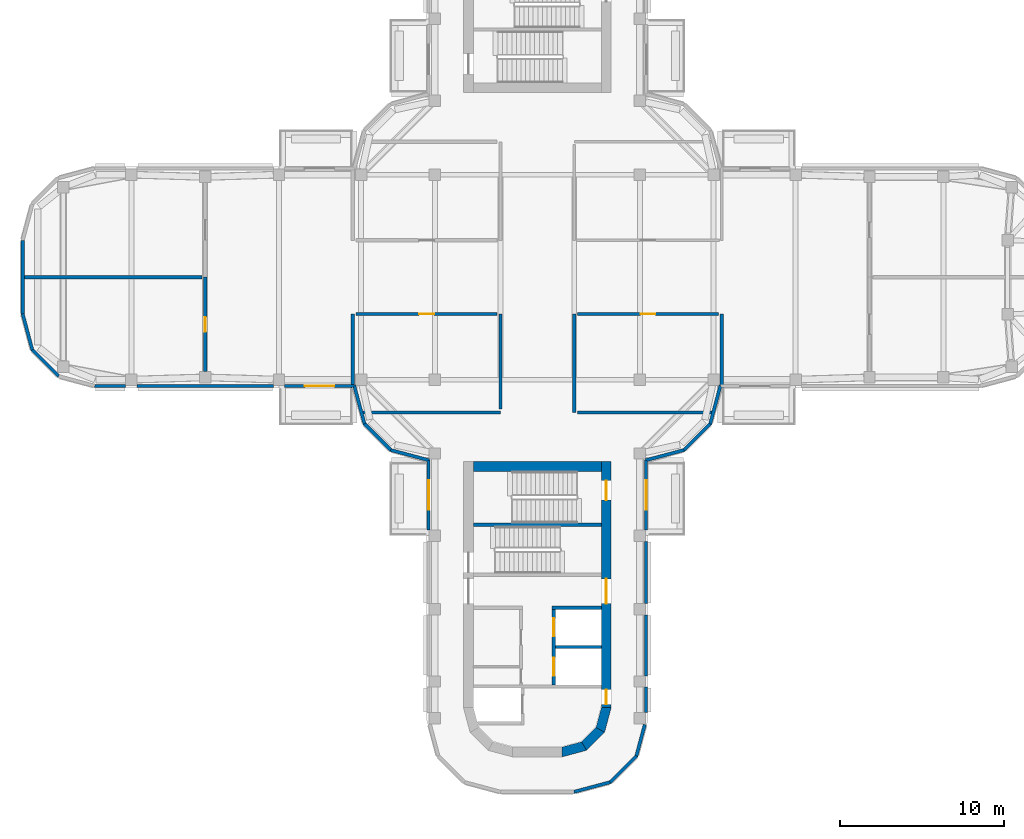
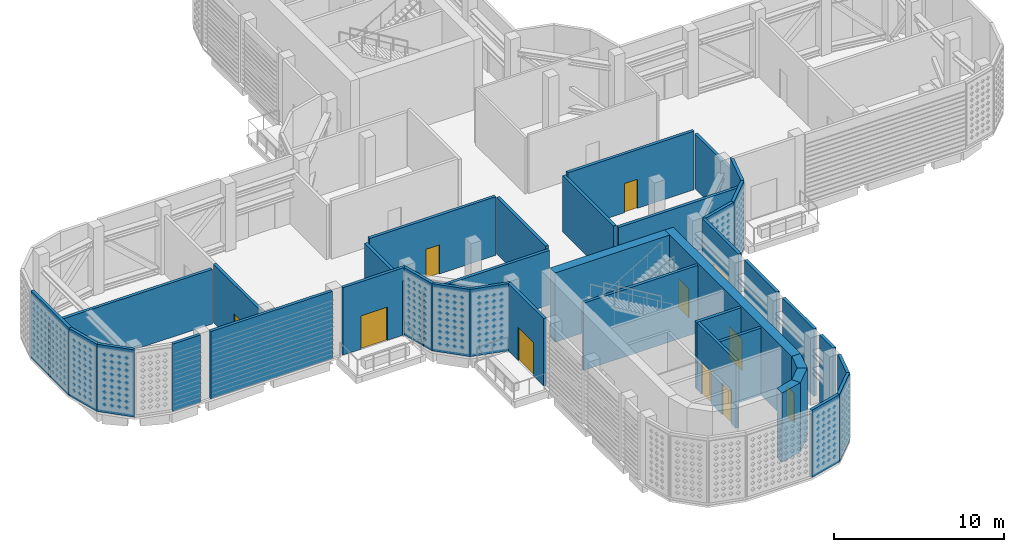
# One storey, part 5 of 20: 39 walls, 11 doors, 11 openings.
"""IFC4 building model written with IfcOpenShell, lengths in metres."""

from ifc_helpers import new_model, si_unit, direction, frame, frame_2d, origin, place, context, subcontext, project, spatial, polyline, rectangle, outline, extrude, material, layer, layer_set, type_object, element, fill, save


model = new_model("IFC4")

# Units and contexts
model_context = context("Model", 3, precision=1e-05, world=origin(), true_north=direction((0.0, 1.0)))
body_context = subcontext(model_context, "Body", "Model", "MODEL_VIEW")
ifc_project = project(units=[si_unit("LENGTHUNIT", "METRE"), si_unit("AREAUNIT", "SQUARE_METRE"), si_unit("VOLUMEUNIT", "CUBIC_METRE"), si_unit("PLANEANGLEUNIT", "RADIAN"), si_unit("MASSUNIT", "GRAM", prefix="KILO")], contexts=[model_context])

# Site, building, storey
site_placement = place(None, origin())
site = spatial("IfcSite", under=ifc_project, at=site_placement, CompositionType="ELEMENT")
building_placement = place(site_placement, origin())
building = spatial("IfcBuilding", under=site, at=building_placement, Name="Zarbagh Exchange Tower", CompositionType="ELEMENT")
storey_placement = place(building_placement, frame((0.0, 0.0, 244.800048828125)))
storey = spatial("IfcBuildingStorey", under=building, at=storey_placement, Name="L60", CompositionType="ELEMENT", Elevation=244.800048828125)

# Walls
ifc_material_1 = material(Name="Concrete block partition", Category="concrete")
ifc_layer_1 = layer(ifc_material_1, 0.199951171875)
ifc_layer_set_1 = layer_set([ifc_layer_1], Name="Fire-rated block partition 200 EI 120")
wall_type_1 = type_object("IfcWallType", Name="Fire-rated block partition 200 EI 120", PredefinedType="PARTITIONING", material=ifc_layer_set_1)
wall_1_placement = place(storey_placement, frame((-20.449951171875, 0.0, 0.0), z_axis=(0.0, 0.0, 1.0), x_axis=(-1.0, 0.0, 0.0)))
element("IfcWall", 1, at=wall_1_placement, inside=storey, type_object=wall_type_1, Name="WL-L60-W022", PredefinedType="PARTITIONING", context=body_context, shape_type="SweptSolid", body=[
    extrude(rectangle(XDim=11.050048828125, YDim=0.199951171875, at=frame_2d((5.52490234375, 0.0))), origin(), (0.0, 0.0, 1.0), 3.929931640625),
])
ifc_layer_2 = layer(ifc_material_1, 0.199951171875)
ifc_layer_set_2 = layer_set([ifc_layer_2], Name="Fire-rated block partition 200 EI 60")
wall_type_2 = type_object("IfcWallType", Name="Fire-rated block partition 200 EI 60", PredefinedType="PARTITIONING", material=ifc_layer_set_2)
wall_2_placement = place(storey_placement, frame((2.25, -2.25, 0.0), z_axis=(0.0, 0.0, 1.0), x_axis=(0.0, -1.0, 0.0)))
element("IfcWall", 2, at=wall_2_placement, inside=storey, type_object=wall_type_2, Name="WL-L60-W003", PredefinedType="PARTITIONING", context=body_context, shape_type="SweptSolid", body=[
    extrude(rectangle(XDim=6.0, YDim=0.199951171875, at=frame_2d((3.0, 0.0))), origin(), (0.0, 0.0, 1.0), 4.0732421875),
])
wall_3_placement = place(storey_placement, frame((2.449951171875, -8.25, 0.0), z_axis=(0.0, 0.0, 1.0), x_axis=(1.0, 0.0, 0.0)))
element("IfcWall", 3, at=wall_3_placement, inside=storey, type_object=wall_type_2, Name="WL-L60-W004", PredefinedType="PARTITIONING", context=body_context, shape_type="SweptSolid", body=[
    extrude(rectangle(XDim=8.398193359375, YDim=0.199951171875, at=frame_2d((4.19921875, 0.0))), origin(), (0.0, 0.0, 1.0), 3.929931640625),
])
wall_4_placement = place(storey_placement, frame((-10.84814453125, -8.25, 0.0), z_axis=(0.0, 0.0, 1.0), x_axis=(1.0, 0.0, 0.0)))
element("IfcWall", 4, at=wall_4_placement, inside=storey, type_object=wall_type_2, Name="WL-L60-W007", PredefinedType="PARTITIONING", context=body_context, shape_type="SweptSolid", body=[
    extrude(rectangle(XDim=8.59814453125, YDim=0.199951171875, at=frame_2d((4.299072265625, 0.0))), origin(), (0.0, 0.0, 1.0), 3.929931640625),
])
wall_5_placement = place(storey_placement, frame((-2.25, -8.050048828125, 0.0), z_axis=(0.0, 0.0, 1.0), x_axis=(0.0, 1.0, 0.0)))
element("IfcWall", 5, at=wall_5_placement, inside=storey, type_object=wall_type_2, Name="WL-L60-W008", PredefinedType="PARTITIONING", context=body_context, shape_type="SweptSolid", body=[
    extrude(rectangle(XDim=5.800048828125, YDim=0.199951171875, at=frame_2d((2.89990234375, 0.0))), origin(), (0.0, 0.0, 1.0), 4.0732421875),
])
wall_6_placement = place(storey_placement, frame((11.25, -2.25, 0.0), z_axis=(0.0, 0.0, 1.0), x_axis=(0.0, -1.0, 0.0)))
element("IfcWall", 6, at=wall_6_placement, inside=storey, type_object=wall_type_2, Name="WL-L60-W011", PredefinedType="PARTITIONING", context=body_context, shape_type="SweptSolid", body=[
    extrude(rectangle(XDim=4.5, YDim=0.199951171875, at=frame_2d((2.25, 0.0))), origin(), (0.0, 0.0, 1.0), 3.929931640625),
])

# Wall, opening, door
wall_7_placement = place(storey_placement, frame((11.050048828125, -2.25, 0.0), z_axis=(0.0, 0.0, 1.0), x_axis=(-1.0, 0.0, 0.0)))
wall_7 = element("IfcWall", 7, at=wall_7_placement, inside=storey, type_object=wall_type_2, Name="WL-L60-W012", PredefinedType="PARTITIONING", context=body_context, shape_type="SweptSolid", body=[
    extrude(rectangle(XDim=8.60009765625, YDim=0.199951171875, at=frame_2d((4.300048828125, 0.0))), origin(), (0.0, 0.0, 1.0), 4.222900390625),
])
opening_1_placement = place(wall_7_placement, frame((3.85009765625, 0.0, 0.0)))
opening_1 = element("IfcOpeningElement", 8, at=opening_1_placement, cuts=wall_7, Name="Opening D02", PredefinedType="OPENING", context=body_context, shape_type="SweptSolid", body=[
    extrude(rectangle(XDim=0.89990234375, YDim=2.10009765625, at=frame_2d((0.449951171875, 1.050048828125))), frame((0.0, 0.10986328125, 0.0), z_axis=(0.0, -1.0, 0.0), x_axis=(1.0, 0.0, 0.0)), (0.0, 0.0, 1.0), 0.219970703125),
])
ifc_material_2 = material(Name="Steel door set", Category="steel")
door_type_1 = type_object("IfcDoorType", Name="Door single 900x2100 EI 60", OperationType="SINGLE_SWING_LEFT", PredefinedType="DOOR", material=ifc_material_2)
door_1_placement = place(opening_1_placement, origin())
door_1 = element("IfcDoor", 9, at=door_1_placement, inside=storey, type_object=door_type_1, Name="D02", OperationType="SINGLE_SWING_LEFT", OverallHeight=2.10009765625, OverallWidth=0.89990234375, PredefinedType="DOOR", context=body_context, shape_type="SweptSolid", body=[
    extrude(rectangle(XDim=0.89990234375, YDim=2.10009765625, at=frame_2d((0.449951171875, 1.050048828125))), frame((0.0, 0.02490234375, 0.0), z_axis=(0.0, -1.0, 0.0), x_axis=(1.0, 0.0, 0.0)), (0.0, 0.0, 1.0), 0.050048828125),
])
fill(opening_1, door_1)

# Wall
wall_8_placement = place(storey_placement, frame((-11.25, -6.75, 0.0), z_axis=(0.0, 0.0, 1.0), x_axis=(0.0, 1.0, 0.0)))
element("IfcWall", 10, at=wall_8_placement, inside=storey, type_object=wall_type_2, Name="WL-L60-W015", PredefinedType="PARTITIONING", context=body_context, shape_type="SweptSolid", body=[
    extrude(rectangle(XDim=4.5, YDim=0.199951171875, at=frame_2d((2.25, 0.0))), origin(), (0.0, 0.0, 1.0), 3.929931640625),
])

# Wall, opening, door
wall_9_placement = place(storey_placement, frame((-2.449951171875, -2.25, 0.0), z_axis=(0.0, 0.0, 1.0), x_axis=(-1.0, 0.0, 0.0)))
wall_9 = element("IfcWall", 11, at=wall_9_placement, inside=storey, type_object=wall_type_2, Name="WL-L60-W016", PredefinedType="PARTITIONING", context=body_context, shape_type="SweptSolid", body=[
    extrude(rectangle(XDim=8.60009765625, YDim=0.199951171875, at=frame_2d((4.300048828125, 0.0))), origin(), (0.0, 0.0, 1.0), 4.222900390625),
])
opening_2_placement = place(wall_9_placement, frame((3.85009765625, 0.0, 0.0)))
opening_2 = element("IfcOpeningElement", 12, at=opening_2_placement, cuts=wall_9, Name="Opening D04", PredefinedType="OPENING", context=body_context, shape_type="SweptSolid", body=[
    extrude(rectangle(XDim=0.89990234375, YDim=2.10009765625, at=frame_2d((0.449951171875, 1.050048828125))), frame((0.0, 0.10986328125, 0.0), z_axis=(0.0, -1.0, 0.0), x_axis=(1.0, 0.0, 0.0)), (0.0, 0.0, 1.0), 0.219970703125),
])
door_2_placement = place(opening_2_placement, origin())
door_2 = element("IfcDoor", 13, at=door_2_placement, inside=storey, type_object=door_type_1, Name="D04", OperationType="SINGLE_SWING_LEFT", OverallHeight=2.10009765625, OverallWidth=0.89990234375, PredefinedType="DOOR", context=body_context, shape_type="SweptSolid", body=[
    extrude(rectangle(XDim=0.89990234375, YDim=2.10009765625, at=frame_2d((0.449951171875, 1.050048828125))), frame((0.0, 0.02490234375, 0.0), z_axis=(0.0, -1.0, 0.0), x_axis=(1.0, 0.0, 0.0)), (0.0, 0.0, 1.0), 0.050048828125),
])
fill(opening_2, door_2)

wall_10_placement = place(storey_placement, frame((-20.25, -5.760009765625, 0.0), z_axis=(0.0, 0.0, 1.0), x_axis=(0.0, 1.0, 0.0)))
wall_10 = element("IfcWall", 14, at=wall_10_placement, inside=storey, type_object=wall_type_2, Name="WL-L60-W021", PredefinedType="PARTITIONING", context=body_context, shape_type="SweptSolid", body=[
    extrude(rectangle(XDim=5.760009765625, YDim=0.199951171875, at=frame_2d((2.8798828125, 0.0))), origin(), (0.0, 0.0, 1.0), 4.222900390625),
])
opening_3_placement = place(wall_10_placement, frame((2.429931640625, 0.0, 0.0)))
opening_3 = element("IfcOpeningElement", 15, at=opening_3_placement, cuts=wall_10, Name="Opening D08", PredefinedType="OPENING", context=body_context, shape_type="SweptSolid", body=[
    extrude(rectangle(XDim=0.89990234375, YDim=2.10009765625, at=frame_2d((0.449951171875, 1.050048828125))), frame((0.0, 0.10986328125, 0.0), z_axis=(0.0, -1.0, 0.0), x_axis=(1.0, 0.0, 0.0)), (0.0, 0.0, 1.0), 0.219970703125),
])
door_3_placement = place(opening_3_placement, origin())
door_3 = element("IfcDoor", 16, at=door_3_placement, inside=storey, type_object=door_type_1, Name="D08", OperationType="SINGLE_SWING_LEFT", OverallHeight=2.10009765625, OverallWidth=0.89990234375, PredefinedType="DOOR", context=body_context, shape_type="SweptSolid", body=[
    extrude(rectangle(XDim=0.89990234375, YDim=2.10009765625, at=frame_2d((0.449951171875, 1.050048828125))), frame((0.0, 0.02490234375, 0.0), z_axis=(0.0, -1.0, 0.0), x_axis=(1.0, 0.0, 0.0)), (0.0, 0.0, 1.0), 0.050048828125),
])
fill(opening_3, door_3)

# Walls
ifc_material_3 = material(Name="Precast concrete C50/60", Category="concrete")
ifc_layer_3 = layer(ifc_material_3, 0.199951171875)
ifc_layer_set_3 = layer_set([ifc_layer_3], Name="Plant wall, precast concrete C50/60")
wall_type_3 = type_object("IfcWallType", Name="Plant wall, precast concrete C50/60", PredefinedType="SOLIDWALL", material=ifc_layer_set_3)
wall_11_placement = place(storey_placement, origin())
element("IfcWall", 17, at=wall_11_placement, inside=storey, type_object=wall_type_3, Name="PW67 plant wall", PredefinedType="SOLIDWALL", context=body_context, shape_type="SweptSolid", body=[
    extrude(outline(polyline([(2.247314453125, -31.47998046875), (4.48974609375, -30.879150390625), (4.38623046875, -30.699951171875), (2.220947265625, -31.280029296875), (2.247314453125, -31.47998046875)])), origin(), (0.0, 0.0, 1.0), 4.849853515625),
])
wall_12_placement = place(storey_placement, origin())
element("IfcWall", 18, at=wall_12_placement, inside=storey, type_object=wall_type_3, Name="PW68 plant wall", PredefinedType="SOLIDWALL", context=body_context, shape_type="SweptSolid", body=[
    extrude(outline(polyline([(4.48974609375, -30.879150390625), (6.129150390625, -29.23974609375), (5.949951171875, -29.13623046875), (4.38623046875, -30.699951171875), (4.48974609375, -30.879150390625)])), origin(), (0.0, 0.0, 1.0), 4.849853515625),
])
wall_13_placement = place(storey_placement, origin())
element("IfcWall", 19, at=wall_13_placement, inside=storey, type_object=wall_type_3, Name="PW69 plant wall", PredefinedType="SOLIDWALL", context=body_context, shape_type="SweptSolid", body=[
    extrude(outline(polyline([(6.129150390625, -29.23974609375), (6.648193359375, -27.302490234375), (6.455078125, -27.250732421875), (5.949951171875, -29.13623046875), (6.129150390625, -29.23974609375)])), origin(), (0.0, 0.0, 1.0), 4.849853515625),
])
wall_14_placement = place(storey_placement, origin())
element("IfcWall", 20, at=wall_14_placement, inside=storey, type_object=wall_type_3, Name="PW70 plant wall", PredefinedType="SOLIDWALL", context=body_context, shape_type="SweptSolid", body=[
    extrude(outline(polyline([(6.72998046875, -26.550048828125), (6.72998046875, -25.0), (6.530029296875, -25.0), (6.530029296875, -26.550048828125), (6.72998046875, -26.550048828125)])), origin(), (0.0, 0.0, 1.0), 4.849853515625),
])
wall_15_placement = place(storey_placement, origin())
element("IfcWall", 21, at=wall_15_placement, inside=storey, type_object=wall_type_3, Name="PW70 plant wall", PredefinedType="SOLIDWALL", context=body_context, shape_type="SweptSolid", body=[
    extrude(outline(polyline([(6.72998046875, -24.300048828125), (6.72998046875, -20.60009765625), (6.530029296875, -20.60009765625), (6.530029296875, -24.300048828125), (6.72998046875, -24.300048828125)])), origin(), (0.0, 0.0, 1.0), 4.849853515625),
])
wall_16_placement = place(storey_placement, origin())
element("IfcWall", 22, at=wall_16_placement, inside=storey, type_object=wall_type_3, Name="PW70 plant wall", PredefinedType="SOLIDWALL", context=body_context, shape_type="SweptSolid", body=[
    extrude(outline(polyline([(6.72998046875, -19.89990234375), (6.72998046875, -16.10009765625), (6.530029296875, -16.10009765625), (6.530029296875, -19.89990234375), (6.72998046875, -19.89990234375)])), origin(), (0.0, 0.0, 1.0), 4.849853515625),
])
wall_17_placement = place(storey_placement, origin())
element("IfcWall", 23, at=wall_17_placement, inside=storey, type_object=wall_type_3, Name="PW05 plant wall", PredefinedType="SOLIDWALL", context=body_context, shape_type="SweptSolid", body=[
    extrude(outline(polyline([(6.72998046875, -11.234619140625), (8.98974609375, -10.629150390625), (8.88623046875, -10.449951171875), (6.530029296875, -11.081298828125), (6.72998046875, -11.234619140625)])), origin(), (0.0, 0.0, 1.0), 4.849853515625),
])
wall_18_placement = place(storey_placement, origin())
element("IfcWall", 24, at=wall_18_placement, inside=storey, type_object=wall_type_3, Name="PW06 plant wall", PredefinedType="SOLIDWALL", context=body_context, shape_type="SweptSolid", body=[
    extrude(outline(polyline([(8.98974609375, -10.629150390625), (10.629150390625, -8.98974609375), (10.449951171875, -8.88623046875), (8.88623046875, -10.449951171875), (8.98974609375, -10.629150390625)])), origin(), (0.0, 0.0, 1.0), 4.849853515625),
])
wall_19_placement = place(storey_placement, origin())
element("IfcWall", 25, at=wall_19_placement, inside=storey, type_object=wall_type_3, Name="PW07 plant wall", PredefinedType="SOLIDWALL", context=body_context, shape_type="SweptSolid", body=[
    extrude(outline(polyline([(10.629150390625, -8.98974609375), (11.234619140625, -6.72998046875), (11.081298828125, -6.530029296875), (10.449951171875, -8.88623046875), (10.629150390625, -8.98974609375)])), origin(), (0.0, 0.0, 1.0), 4.849853515625),
])
wall_20_placement = place(storey_placement, origin())
element("IfcWall", 26, at=wall_20_placement, inside=storey, type_object=wall_type_3, Name="PW75 plant wall", PredefinedType="SOLIDWALL", context=body_context, shape_type="SweptSolid", body=[
    extrude(outline(polyline([(-31.47998046875, 2.247314453125), (-31.47998046875, -2.247314453125), (-31.280029296875, -2.220947265625), (-31.280029296875, 2.220947265625), (-31.47998046875, 2.247314453125)])), origin(), (0.0, 0.0, 1.0), 4.849853515625),
])
wall_21_placement = place(storey_placement, origin())
element("IfcWall", 27, at=wall_21_placement, inside=storey, type_object=wall_type_3, Name="PW76 plant wall", PredefinedType="SOLIDWALL", context=body_context, shape_type="SweptSolid", body=[
    extrude(outline(polyline([(-31.47998046875, -2.247314453125), (-30.879150390625, -4.48974609375), (-30.699951171875, -4.38623046875), (-31.280029296875, -2.220947265625), (-31.47998046875, -2.247314453125)])), origin(), (0.0, 0.0, 1.0), 4.849853515625),
])
wall_22_placement = place(storey_placement, origin())
element("IfcWall", 28, at=wall_22_placement, inside=storey, type_object=wall_type_3, Name="PW77 plant wall", PredefinedType="SOLIDWALL", context=body_context, shape_type="SweptSolid", body=[
    extrude(outline(polyline([(-30.879150390625, -4.48974609375), (-29.23974609375, -6.129150390625), (-29.13623046875, -5.949951171875), (-30.699951171875, -4.38623046875), (-30.879150390625, -4.48974609375)])), origin(), (0.0, 0.0, 1.0), 4.849853515625),
])
wall_23_placement = place(storey_placement, origin())
element("IfcWall", 29, at=wall_23_placement, inside=storey, type_object=wall_type_3, Name="PW79 plant wall", PredefinedType="SOLIDWALL", context=body_context, shape_type="SweptSolid", body=[
    extrude(outline(polyline([(-26.997314453125, -6.72998046875), (-25.10009765625, -6.72998046875), (-25.10009765625, -6.530029296875), (-26.970947265625, -6.530029296875), (-26.997314453125, -6.72998046875)])), origin(), (0.0, 0.0, 1.0), 4.849853515625),
])
wall_24_placement = place(storey_placement, origin())
element("IfcWall", 30, at=wall_24_placement, inside=storey, type_object=wall_type_3, Name="PW79 plant wall", PredefinedType="SOLIDWALL", context=body_context, shape_type="SweptSolid", body=[
    extrude(outline(polyline([(-24.39990234375, -6.72998046875), (-16.10009765625, -6.72998046875), (-16.10009765625, -6.530029296875), (-24.39990234375, -6.530029296875), (-24.39990234375, -6.72998046875)])), origin(), (0.0, 0.0, 1.0), 4.849853515625),
])
wall_25_placement = place(storey_placement, origin())
element("IfcWall", 31, at=wall_25_placement, inside=storey, type_object=wall_type_3, Name="PW41 plant wall", PredefinedType="SOLIDWALL", context=body_context, shape_type="SweptSolid", body=[
    extrude(outline(polyline([(-11.234619140625, -6.72998046875), (-10.629150390625, -8.98974609375), (-10.449951171875, -8.88623046875), (-11.081298828125, -6.530029296875), (-11.234619140625, -6.72998046875)])), origin(), (0.0, 0.0, 1.0), 4.849853515625),
])
wall_26_placement = place(storey_placement, origin())
element("IfcWall", 32, at=wall_26_placement, inside=storey, type_object=wall_type_3, Name="PW42 plant wall", PredefinedType="SOLIDWALL", context=body_context, shape_type="SweptSolid", body=[
    extrude(outline(polyline([(-10.629150390625, -8.98974609375), (-8.98974609375, -10.629150390625), (-8.88623046875, -10.449951171875), (-10.449951171875, -8.88623046875), (-10.629150390625, -8.98974609375)])), origin(), (0.0, 0.0, 1.0), 4.849853515625),
])
wall_27_placement = place(storey_placement, origin())
element("IfcWall", 33, at=wall_27_placement, inside=storey, type_object=wall_type_3, Name="PW43 plant wall", PredefinedType="SOLIDWALL", context=body_context, shape_type="SweptSolid", body=[
    extrude(outline(polyline([(-8.98974609375, -10.629150390625), (-6.72998046875, -11.234619140625), (-6.530029296875, -11.081298828125), (-8.88623046875, -10.449951171875), (-8.98974609375, -10.629150390625)])), origin(), (0.0, 0.0, 1.0), 4.849853515625),
])
ifc_material_4 = material(Name="Concrete C50/60", Category="concrete")
ifc_layer_4 = layer(ifc_material_4, 0.60009765625)
ifc_layer_set_4 = layer_set([ifc_layer_4], Name="RC core corner wall 600 C50/60")
wall_type_4 = type_object("IfcWallType", Name="RC core corner wall 600 C50/60", PredefinedType="SHEAR", material=ifc_layer_set_4)
wall_28_placement = place(storey_placement, origin())
element("IfcWall", 34, at=wall_28_placement, inside=storey, type_object=wall_type_4, Name="CW8 core S corner E", PredefinedType="SHEAR", context=body_context, shape_type="SweptSolid", body=[
    extrude(outline(polyline([(4.5, -26.25), (4.09814453125, -27.75), (3.57861328125, -27.449951171875), (3.89990234375, -26.25), (4.5, -26.25)])), origin(), (0.0, 0.0, 1.0), 5.0),
])
wall_29_placement = place(storey_placement, origin())
element("IfcWall", 35, at=wall_29_placement, inside=storey, type_object=wall_type_4, Name="CW8 core S corner E", PredefinedType="SHEAR", context=body_context, shape_type="SweptSolid", body=[
    extrude(outline(polyline([(4.09814453125, -27.75), (3.0, -28.84814453125), (2.699951171875, -28.32861328125), (3.57861328125, -27.449951171875), (4.09814453125, -27.75)])), origin(), (0.0, 0.0, 1.0), 5.0),
])
wall_30_placement = place(storey_placement, origin())
element("IfcWall", 36, at=wall_30_placement, inside=storey, type_object=wall_type_4, Name="CW8 core S corner E", PredefinedType="SHEAR", context=body_context, shape_type="SweptSolid", body=[
    extrude(outline(polyline([(3.0, -28.84814453125), (1.5, -29.25), (1.5, -28.64990234375), (2.699951171875, -28.32861328125), (3.0, -28.84814453125)])), origin(), (0.0, 0.0, 1.0), 5.0),
])

# Wall, openings, doors
ifc_layer_5 = layer(ifc_material_4, 0.60009765625)
ifc_layer_set_5 = layer_set([ifc_layer_5], Name="RC core wall 600 C50/60")
wall_type_5 = type_object("IfcWallType", Name="RC core wall 600 C50/60", PredefinedType="SHEAR", material=ifc_layer_set_5)
wall_31_placement = place(storey_placement, frame((4.199951171875, -11.25, 0.0), z_axis=(0.0, 0.0, 1.0), x_axis=(0.0, -1.0, 0.0)))
wall_31 = element("IfcWall", 37, at=wall_31_placement, inside=storey, type_object=wall_type_5, Name="CW7 core S E", PredefinedType="SHEAR", context=body_context, shape_type="SweptSolid", body=[
    extrude(rectangle(XDim=15.0, YDim=0.60009765625, at=frame_2d((7.5, 0.0))), origin(), (0.0, 0.0, 1.0), 5.0),
])
opening_4_placement = place(wall_31_placement, frame((7.14990234375, 0.0, 0.0)))
opening_4 = element("IfcOpeningElement", 38, at=opening_4_placement, cuts=wall_31, Name="Opening CD1-1500", PredefinedType="OPENING", context=body_context, shape_type="SweptSolid", body=[
    extrude(rectangle(XDim=1.5, YDim=2.300048828125, at=frame_2d((0.75, 1.14990234375))), frame((0.0, 0.31005859375, 0.0), z_axis=(0.0, -1.0, 0.0), x_axis=(1.0, 0.0, 0.0)), (0.0, 0.0, 1.0), 0.6201171875),
])
opening_5_placement = place(wall_31_placement, frame((13.89990234375, 0.0, 0.0)))
opening_5 = element("IfcOpeningElement", 39, at=opening_5_placement, cuts=wall_31, Name="Opening CD2-900", PredefinedType="OPENING", context=body_context, shape_type="SweptSolid", body=[
    extrude(rectangle(XDim=0.89990234375, YDim=2.10009765625, at=frame_2d((0.449951171875, 1.050048828125))), frame((0.0, 0.31005859375, 0.0), z_axis=(0.0, -1.0, 0.0), x_axis=(1.0, 0.0, 0.0)), (0.0, 0.0, 1.0), 0.6201171875),
])
opening_6_placement = place(wall_31_placement, frame((1.14990234375, 0.0, 0.0)))
opening_6 = element("IfcOpeningElement", 40, at=opening_6_placement, cuts=wall_31, Name="Opening SD1-1200", PredefinedType="OPENING", context=body_context, shape_type="SweptSolid", body=[
    extrude(rectangle(XDim=1.199951171875, YDim=2.10009765625, at=frame_2d((0.60009765625, 1.050048828125))), frame((0.0, 0.31005859375, 0.0), z_axis=(0.0, -1.0, 0.0), x_axis=(1.0, 0.0, 0.0)), (0.0, 0.0, 1.0), 0.6201171875),
])
ifc_material_5 = material(Name="Steel", Category="steel")
door_type_2 = type_object("IfcDoorType", Name="Exit stair door 1200 x 2100", OperationType="NOTDEFINED", PredefinedType="DOOR", material=ifc_material_5)
door_4_placement = place(opening_6_placement, origin())
door_4 = element("IfcDoor", 41, at=door_4_placement, inside=storey, type_object=door_type_2, Name="South core stair door ST2", OperationType="SINGLE_SWING_LEFT", OverallHeight=2.10009765625, OverallWidth=1.199951171875, PredefinedType="DOOR", context=body_context, shape_type="SweptSolid", body=[
    extrude(rectangle(XDim=1.199951171875, YDim=2.10009765625, at=frame_2d((0.60009765625, 1.050048828125))), frame((0.0, 0.02490234375, 0.0), z_axis=(0.0, -1.0, 0.0), x_axis=(1.0, 0.0, 0.0)), (0.0, 0.0, 1.0), 0.050048828125),
])
fill(opening_6, door_4)
door_type_3 = type_object("IfcDoorType", Name="Firefighting lobby door 900 x 2100", OperationType="NOTDEFINED", PredefinedType="DOOR", material=ifc_material_5)
door_5_placement = place(opening_5_placement, origin())
door_5 = element("IfcDoor", 42, at=door_5_placement, inside=storey, type_object=door_type_3, Name="South core firefighting lobby door FF-W", OperationType="SINGLE_SWING_LEFT", OverallHeight=2.10009765625, OverallWidth=0.89990234375, PredefinedType="DOOR", context=body_context, shape_type="SweptSolid", body=[
    extrude(rectangle(XDim=0.89990234375, YDim=2.10009765625, at=frame_2d((0.449951171875, 1.050048828125))), frame((0.0, 0.02490234375, 0.0), z_axis=(0.0, -1.0, 0.0), x_axis=(1.0, 0.0, 0.0)), (0.0, 0.0, 1.0), 0.050048828125),
])
fill(opening_5, door_5)
door_type_4 = type_object("IfcDoorType", Name="Lift lobby double door 1500 x 2300", OperationType="NOTDEFINED", PredefinedType="DOOR", material=ifc_material_5)
door_6_placement = place(opening_4_placement, origin())
door_6 = element("IfcDoor", 43, at=door_6_placement, inside=storey, type_object=door_type_4, Name="South core lift lobby door LOBBY-W", OperationType="DOUBLE_DOOR_SINGLE_SWING", OverallHeight=2.300048828125, OverallWidth=1.5, PredefinedType="DOOR", context=body_context, shape_type="SweptSolid", body=[
    extrude(rectangle(XDim=1.5, YDim=2.300048828125, at=frame_2d((0.75, 1.14990234375))), frame((0.0, 0.02490234375, 0.0), z_axis=(0.0, -1.0, 0.0), x_axis=(1.0, 0.0, 0.0)), (0.0, 0.0, 1.0), 0.050048828125),
])
fill(opening_4, door_6)

# Walls
wall_32_placement = place(storey_placement, frame((-3.89990234375, -11.550048828125, 0.0), z_axis=(0.0, 0.0, 1.0), x_axis=(1.0, 0.0, 0.0)))
element("IfcWall", 44, at=wall_32_placement, inside=storey, type_object=wall_type_5, Name="CW7 core S inner end", PredefinedType="SHEAR", context=body_context, shape_type="SweptSolid", body=[
    extrude(rectangle(XDim=7.7998046875, YDim=0.60009765625, at=frame_2d((3.89990234375, 0.0))), origin(), (0.0, 0.0, 1.0), 5.0),
])
ifc_material_6 = material(Name="Dense blockwork", Category="masonry")
ifc_layer_6 = layer(ifc_material_6, 0.199951171875)
ifc_layer_set_6 = layer_set([ifc_layer_6], Name="Shaft wall 200 mm blockwork")
wall_type_6 = type_object("IfcWallType", Name="Shaft wall 200 mm blockwork", PredefinedType="PARTITIONING", material=ifc_layer_set_6)
wall_33_placement = place(storey_placement, frame((3.89990234375, -20.14990234375, 0.0), z_axis=(0.0, 0.0, 1.0), x_axis=(-1.0, 0.0, 0.0)))
element("IfcWall", 45, at=wall_33_placement, inside=storey, type_object=wall_type_6, Name="South core shaft wall AB-W", PredefinedType="PARTITIONING", context=body_context, shape_type="SweptSolid", body=[
    extrude(rectangle(XDim=3.0, YDim=0.199951171875, at=frame_2d((1.5, 0.0))), origin(), (0.0, 0.0, 1.0), 4.849853515625),
])

# Wall, openings, doors
wall_34_placement = place(storey_placement, frame((1.0, -24.85009765625, 0.0), z_axis=(0.0, 0.0, 1.0), x_axis=(0.0, 1.0, 0.0)))
wall_34 = element("IfcWall", 46, at=wall_34_placement, inside=storey, type_object=wall_type_6, Name="South core shaft wall LW-W", PredefinedType="PARTITIONING", context=body_context, shape_type="SweptSolid", body=[
    extrude(rectangle(XDim=4.60009765625, YDim=0.199951171875, at=frame_2d((2.300048828125, 0.0))), origin(), (0.0, 0.0, 1.0), 4.849853515625),
])
opening_7_placement = place(wall_34_placement, frame((0.550048828125, 0.0, 0.0)))
opening_7 = element("IfcOpeningElement", 47, at=opening_7_placement, cuts=wall_34, Name="Opening LD-1100", PredefinedType="OPENING", context=body_context, shape_type="SweptSolid", body=[
    extrude(rectangle(XDim=1.10009765625, YDim=2.300048828125, at=frame_2d((0.550048828125, 1.14990234375))), frame((0.0, 0.10986328125, 0.0), z_axis=(0.0, -1.0, 0.0), x_axis=(1.0, 0.0, 0.0)), (0.0, 0.0, 1.0), 0.219970703125),
])
opening_8_placement = place(wall_34_placement, frame((2.949951171875, 0.0, 0.0)))
opening_8 = element("IfcOpeningElement", 48, at=opening_8_placement, cuts=wall_34, Name="Opening LD-1100", PredefinedType="OPENING", context=body_context, shape_type="SweptSolid", body=[
    extrude(rectangle(XDim=1.10009765625, YDim=2.300048828125, at=frame_2d((0.550048828125, 1.14990234375))), frame((0.0, 0.10986328125, 0.0), z_axis=(0.0, -1.0, 0.0), x_axis=(1.0, 0.0, 0.0)), (0.0, 0.0, 1.0), 0.219970703125),
])
ifc_material_7 = material(Name="Stainless steel", Category="steel")
door_type_5 = type_object("IfcDoorType", Name="Lift landing door 1100 x 2300", OperationType="NOTDEFINED", PredefinedType="DOOR", material=ifc_material_7)
door_7_placement = place(opening_7_placement, origin())
door_7 = element("IfcDoor", 49, at=door_7_placement, inside=storey, type_object=door_type_5, Name="South core lift landing door LD-P-S1", OperationType="DOUBLE_DOOR_SLIDING", OverallHeight=2.300048828125, OverallWidth=1.10009765625, PredefinedType="DOOR", context=body_context, shape_type="SweptSolid", body=[
    extrude(rectangle(XDim=1.10009765625, YDim=2.300048828125, at=frame_2d((0.550048828125, 1.14990234375))), frame((0.0, 0.02490234375, 0.0), z_axis=(0.0, -1.0, 0.0), x_axis=(1.0, 0.0, 0.0)), (0.0, 0.0, 1.0), 0.050048828125),
])
fill(opening_7, door_7)
door_8_placement = place(opening_8_placement, origin())
door_8 = element("IfcDoor", 50, at=door_8_placement, inside=storey, type_object=door_type_5, Name="South core lift landing door LD-P-S2", OperationType="DOUBLE_DOOR_SLIDING", OverallHeight=2.300048828125, OverallWidth=1.10009765625, PredefinedType="DOOR", context=body_context, shape_type="SweptSolid", body=[
    extrude(rectangle(XDim=1.10009765625, YDim=2.300048828125, at=frame_2d((0.550048828125, 1.14990234375))), frame((0.0, 0.02490234375, 0.0), z_axis=(0.0, -1.0, 0.0), x_axis=(1.0, 0.0, 0.0)), (0.0, 0.0, 1.0), 0.050048828125),
])
fill(opening_8, door_8)

# Walls
wall_35_placement = place(storey_placement, frame((3.89990234375, -22.550048828125, 0.0), z_axis=(0.0, 0.0, 1.0), x_axis=(-1.0, 0.0, 0.0)))
element("IfcWall", 51, at=wall_35_placement, inside=storey, type_object=wall_type_6, Name="South core shaft wall TR-W", PredefinedType="PARTITIONING", context=body_context, shape_type="SweptSolid", body=[
    extrude(rectangle(XDim=2.7998046875, YDim=0.199951171875, at=frame_2d((1.39990234375, 0.0))), origin(), (0.0, 0.0, 1.0), 4.849853515625),
])
ifc_material_8 = material(Name="Concrete C40/50", Category="concrete")
ifc_layer_7 = layer(ifc_material_8, 0.199951171875)
ifc_layer_set_7 = layer_set([ifc_layer_7], Name="Stair enclosure wall 200 mm RC C40/50")
wall_type_7 = type_object("IfcWallType", Name="Stair enclosure wall 200 mm RC C40/50", PredefinedType="SHEAR", material=ifc_layer_set_7)
wall_36_placement = place(storey_placement, frame((3.89990234375, -15.10009765625, 0.0), z_axis=(0.0, 0.0, 1.0), x_axis=(-1.0, 0.0, 0.0)))
element("IfcWall", 52, at=wall_36_placement, inside=storey, type_object=wall_type_7, Name="South core stair wall ST12", PredefinedType="SHEAR", context=body_context, shape_type="SweptSolid", body=[
    extrude(rectangle(XDim=7.7998046875, YDim=0.199951171875, at=frame_2d((3.89990234375, 0.0))), origin(), (0.0, 0.0, 1.0), 4.849853515625),
])

# Wall, opening, door
ifc_layer_8 = layer(ifc_material_3, 0.199951171875)
ifc_layer_set_8 = layer_set([ifc_layer_8], Name="Terrace door wall, precast concrete C50/60")
wall_type_8 = type_object("IfcWallType", Name="Terrace door wall, precast concrete C50/60", PredefinedType="SOLIDWALL", material=ifc_layer_set_8)
wall_37_placement = place(storey_placement, frame((6.6298828125, -15.39990234375, 0.0), z_axis=(0.0, 0.0, 1.0), x_axis=(0.0, 1.0, 0.0)))
wall_37 = element("IfcWall", 53, at=wall_37_placement, inside=storey, type_object=wall_type_8, Name="TW50 door wall", PredefinedType="SOLIDWALL", context=body_context, shape_type="SweptSolid", body=[
    extrude(rectangle(XDim=4.241943359375, YDim=0.199951171875, at=frame_2d((2.12109375, 0.0))), origin(), (0.0, 0.0, 1.0), 4.849853515625),
])
opening_9_placement = place(wall_37_placement, frame((1.220947265625, 0.0, 0.0)))
opening_9 = element("IfcOpeningElement", 54, at=opening_9_placement, cuts=wall_37, Name="Opening TD02", PredefinedType="OPENING", context=body_context, shape_type="SweptSolid", body=[
    extrude(rectangle(XDim=1.800048828125, YDim=2.39990234375, at=frame_2d((0.89990234375, 1.199951171875))), frame((0.0, 0.10986328125, 0.0), z_axis=(0.0, -1.0, 0.0), x_axis=(1.0, 0.0, 0.0)), (0.0, 0.0, 1.0), 0.219970703125),
])
ifc_material_9 = material(Name="Anodised aluminium and glass", Category="aluminium")
door_type_6 = type_object("IfcDoorType", Name="Terrace door, double leaf, aluminium and glass", OperationType="DOUBLE_DOOR_DOUBLE_SWING", PredefinedType="DOOR", material=ifc_material_9)
door_9_placement = place(opening_9_placement, origin())
door_9 = element("IfcDoor", 55, at=door_9_placement, inside=storey, type_object=door_type_6, Name="TD02 terrace door", OperationType="SINGLE_SWING_LEFT", OverallHeight=2.39990234375, OverallWidth=1.800048828125, PredefinedType="DOOR", context=body_context, shape_type="SweptSolid", body=[
    extrude(rectangle(XDim=1.800048828125, YDim=2.39990234375, at=frame_2d((0.89990234375, 1.199951171875))), frame((0.0, 0.02490234375, 0.0), z_axis=(0.0, -1.0, 0.0), x_axis=(1.0, 0.0, 0.0)), (0.0, 0.0, 1.0), 0.050048828125),
])
fill(opening_9, door_9)

wall_38_placement = place(storey_placement, frame((-15.39990234375, -6.6298828125, 0.0), z_axis=(0.0, 0.0, 1.0), x_axis=(1.0, 0.0, 0.0)))
wall_38 = element("IfcWall", 56, at=wall_38_placement, inside=storey, type_object=wall_type_8, Name="TW52 door wall", PredefinedType="SOLIDWALL", context=body_context, shape_type="SweptSolid", body=[
    extrude(rectangle(XDim=4.241943359375, YDim=0.199951171875, at=frame_2d((2.12109375, 0.0))), origin(), (0.0, 0.0, 1.0), 4.849853515625),
])
opening_10_placement = place(wall_38_placement, frame((1.220947265625, 0.0, 0.0)))
opening_10 = element("IfcOpeningElement", 57, at=opening_10_placement, cuts=wall_38, Name="Opening TD02", PredefinedType="OPENING", context=body_context, shape_type="SweptSolid", body=[
    extrude(rectangle(XDim=1.800048828125, YDim=2.39990234375, at=frame_2d((0.89990234375, 1.199951171875))), frame((0.0, 0.10986328125, 0.0), z_axis=(0.0, -1.0, 0.0), x_axis=(1.0, 0.0, 0.0)), (0.0, 0.0, 1.0), 0.219970703125),
])
door_10_placement = place(opening_10_placement, origin())
door_10 = element("IfcDoor", 58, at=door_10_placement, inside=storey, type_object=door_type_6, Name="TD02 terrace door", OperationType="SINGLE_SWING_LEFT", OverallHeight=2.39990234375, OverallWidth=1.800048828125, PredefinedType="DOOR", context=body_context, shape_type="SweptSolid", body=[
    extrude(rectangle(XDim=1.800048828125, YDim=2.39990234375, at=frame_2d((0.89990234375, 1.199951171875))), frame((0.0, 0.02490234375, 0.0), z_axis=(0.0, -1.0, 0.0), x_axis=(1.0, 0.0, 0.0)), (0.0, 0.0, 1.0), 0.050048828125),
])
fill(opening_10, door_10)

wall_39_placement = place(storey_placement, frame((-6.6298828125, -11.157958984375, 0.0), z_axis=(0.0, 0.0, 1.0), x_axis=(0.0, -1.0, 0.0)))
wall_39 = element("IfcWall", 59, at=wall_39_placement, inside=storey, type_object=wall_type_8, Name="TW53 door wall", PredefinedType="SOLIDWALL", context=body_context, shape_type="SweptSolid", body=[
    extrude(rectangle(XDim=4.241943359375, YDim=0.199951171875, at=frame_2d((2.12109375, 0.0))), origin(), (0.0, 0.0, 1.0), 4.849853515625),
])
opening_11_placement = place(wall_39_placement, frame((1.220947265625, 0.0, 0.0)))
opening_11 = element("IfcOpeningElement", 60, at=opening_11_placement, cuts=wall_39, Name="Opening TD02", PredefinedType="OPENING", context=body_context, shape_type="SweptSolid", body=[
    extrude(rectangle(XDim=1.800048828125, YDim=2.39990234375, at=frame_2d((0.89990234375, 1.199951171875))), frame((0.0, 0.10986328125, 0.0), z_axis=(0.0, -1.0, 0.0), x_axis=(1.0, 0.0, 0.0)), (0.0, 0.0, 1.0), 0.219970703125),
])
door_11_placement = place(opening_11_placement, origin())
door_11 = element("IfcDoor", 61, at=door_11_placement, inside=storey, type_object=door_type_6, Name="TD02 terrace door", OperationType="SINGLE_SWING_LEFT", OverallHeight=2.39990234375, OverallWidth=1.800048828125, PredefinedType="DOOR", context=body_context, shape_type="SweptSolid", body=[
    extrude(rectangle(XDim=1.800048828125, YDim=2.39990234375, at=frame_2d((0.89990234375, 1.199951171875))), frame((0.0, 0.02490234375, 0.0), z_axis=(0.0, -1.0, 0.0), x_axis=(1.0, 0.0, 0.0)), (0.0, 0.0, 1.0), 0.050048828125),
])
fill(opening_11, door_11)

save(model, "model.ifc")
